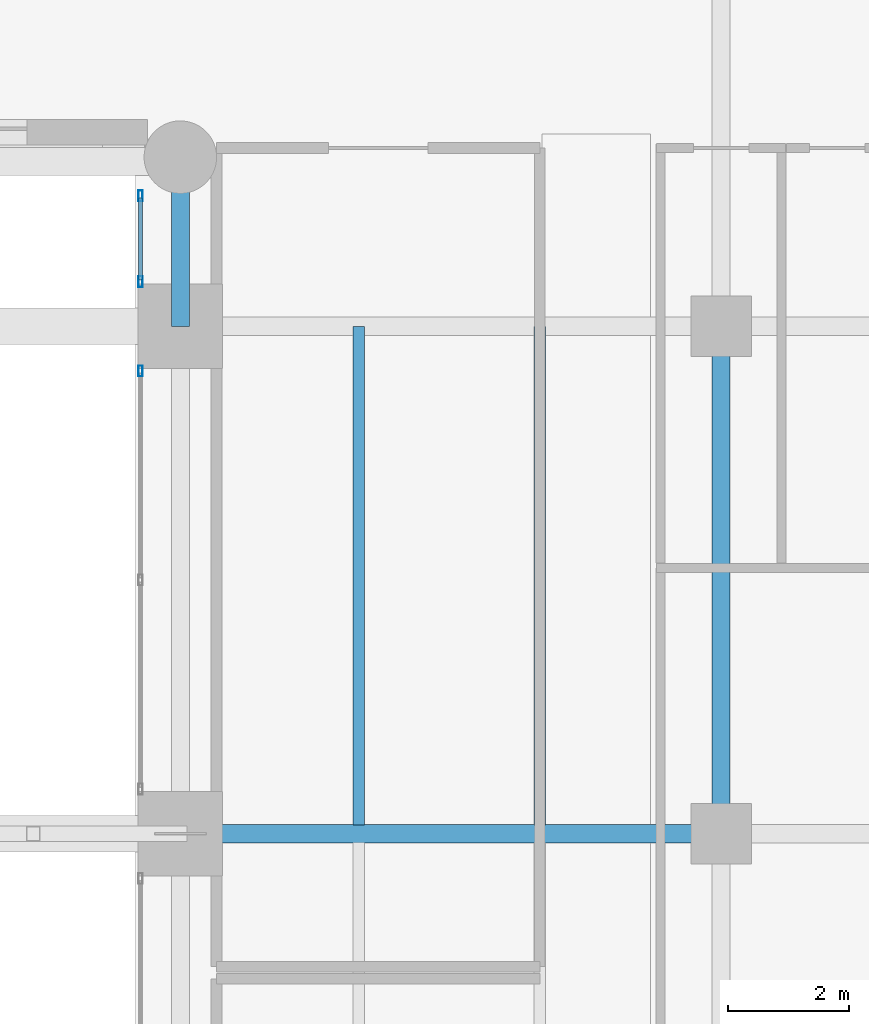
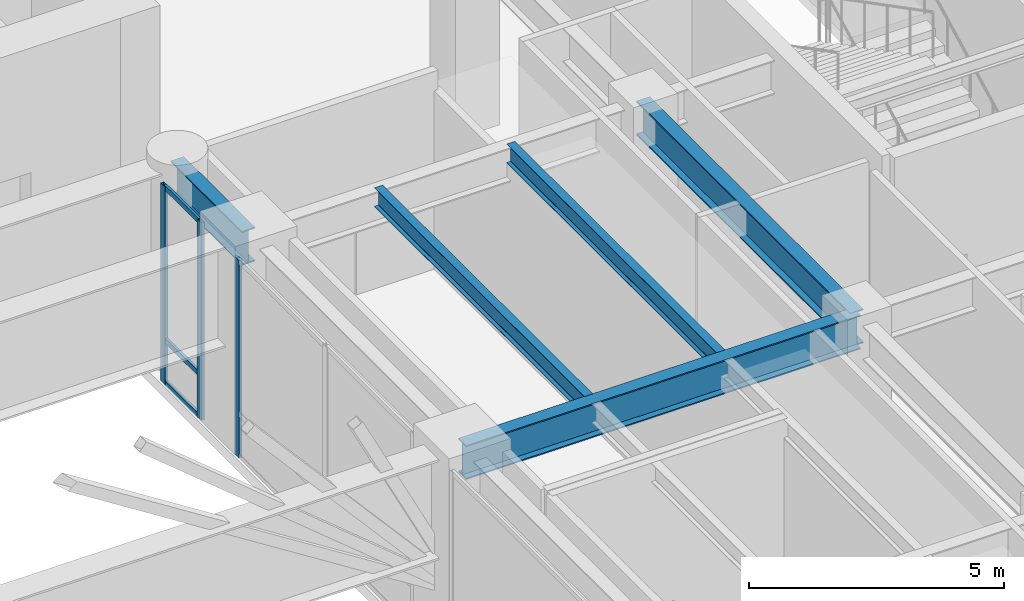
# One storey, part 22 of 39: 6 members, 5 beams, 2 elements without a shape of their own.
"""IFC4 building model written with IfcOpenShell, lengths in metres."""

from ifc_helpers import new_model, si_unit, direction, frame, origin, origin_2d, place, context, subcontext, project, spatial, hollow_rectangle, i_section, extrude, source, transform, mapped, material, layer, layer_set, material_profile, profile_set, type_object, type_shapes, element, aggregate, save


model = new_model("IFC4")

# Units and contexts
model_context = context("Model", 3, precision=1e-05, world=origin(), true_north=direction((0.0, 1.0)))
body_context = subcontext(model_context, "Body", "Model", "MODEL_VIEW")
ifc_project = project(units=[si_unit("LENGTHUNIT", "METRE"), si_unit("AREAUNIT", "SQUARE_METRE"), si_unit("VOLUMEUNIT", "CUBIC_METRE"), si_unit("PLANEANGLEUNIT", "RADIAN"), si_unit("MASSUNIT", "GRAM", prefix="KILO")], contexts=[model_context])

# Site, building, storey
site_placement = place(None, origin())
site = spatial("IfcSite", under=ifc_project, at=site_placement, CompositionType="ELEMENT")
building_placement = place(site_placement, origin())
building = spatial("IfcBuilding", under=site, at=building_placement, Name="Tolvann Quenvar Hotel", CompositionType="ELEMENT")
storey_placement = place(building_placement, frame((0.0, 0.0, 11.0)))
storey = spatial("IfcBuildingStorey", under=building, at=storey_placement, Name="L02", CompositionType="ELEMENT", Elevation=11.0)

# Beams
ifc_material_1 = material(Name="Steel Grade 350", Category="steel")
ifc_material_profile_1 = material_profile(ifc_material_1, i_section(OverallWidth=0.300048828125, OverallDepth=0.81591796875, WebThickness=0.010009765625, FlangeThickness=0.028076171875, at=origin_2d()), Name="800WB192")
ifc_profile_set_1 = profile_set([ifc_material_profile_1], Name="Steel Grade 350")
beam_type_1 = type_object("IfcBeamType", Name="BM_GIRD_800WB192", PredefinedType="BEAM", material=ifc_profile_set_1)
shared_shape_1 = source(origin(), body_context, "Body", "SweptSolid", [
    extrude(i_section(OverallWidth=0.300048828125, OverallDepth=0.81591796875, WebThickness=0.010009765625, FlangeThickness=0.028076171875, at=origin_2d()), origin(), (0.0, 0.0, 1.0), 8.39990234375),
])
beam_1_placement = place(storey_placement, frame((47.199951171875, 16.0, 4.33203125), z_axis=(0.0, 1.0, 0.0), x_axis=(-1.0, 0.0, 0.0)))
element("IfcBeam", 1, at=beam_1_placement, inside=storey, type_object=beam_type_1, Name="BM-L02-NS-H-2", PredefinedType="BEAM", context=body_context, shape_type="MappedRepresentation", body=[
    mapped(shared_shape_1, transform((0.0, 0.0, 0.0), x_axis=(1.0, 0.0, 0.0), y_axis=(0.0, 1.0, 0.0), z_axis=(0.0, 0.0, 1.0), scale=1.0)),
])
shared_shape_2 = source(origin(), body_context, "Body", "SweptSolid", [
    extrude(i_section(OverallWidth=0.300048828125, OverallDepth=0.81591796875, WebThickness=0.010009765625, FlangeThickness=0.028076171875, at=origin_2d()), origin(), (0.0, 0.0, 1.0), 2.800048828125),
])
beam_2_placement = place(storey_placement, frame((38.25, 24.39990234375, 4.33203125), z_axis=(0.0, 1.0, 0.0), x_axis=(-1.0, 0.0, 0.0)))
element("IfcBeam", 2, at=beam_2_placement, inside=storey, type_object=beam_type_1, Name="BM-L02-NS-APE-3", PredefinedType="BEAM", context=body_context, shape_type="MappedRepresentation", body=[
    mapped(shared_shape_2, transform((0.0, 0.0, 0.0), x_axis=(1.0, 0.0, 0.0), y_axis=(0.0, 1.0, 0.0), z_axis=(0.0, 0.0, 1.0), scale=1.0)),
])
shared_shape_3 = source(origin(), body_context, "Body", "SweptSolid", [
    extrude(i_section(OverallWidth=0.300048828125, OverallDepth=0.81591796875, WebThickness=0.010009765625, FlangeThickness=0.028076171875, at=origin_2d()), origin(), (0.0, 0.0, 1.0), 8.949951171875),
])
type_shapes(beam_type_1, [shared_shape_1, shared_shape_2, shared_shape_3])
beam_3_placement = place(storey_placement, frame((38.25, 16.0, 4.33203125), z_axis=(1.0, 0.0, 0.0), x_axis=(0.0, 1.0, 0.0)))
element("IfcBeam", 3, at=beam_3_placement, inside=storey, type_object=beam_type_1, Name="BM-L02-GE1-3", PredefinedType="BEAM", context=body_context, shape_type="MappedRepresentation", body=[
    mapped(shared_shape_3, transform((0.0, 0.0, 0.0), x_axis=(1.0, 0.0, 0.0), y_axis=(0.0, 1.0, 0.0), z_axis=(0.0, 0.0, 1.0), scale=1.0)),
])
ifc_material_profile_2 = material_profile(ifc_material_1, i_section(OverallWidth=0.18994140625, OverallDepth=0.4541015625, WebThickness=0.008544921875, FlangeThickness=0.0126953125, FilletRadius=0.011474609375, at=origin_2d()), Name="460UB67")
ifc_profile_set_2 = profile_set([ifc_material_profile_2], Name="Steel Grade 350")
beam_type_2 = type_object("IfcBeamType", Name="BM_JOIST_460UB67", PredefinedType="JOIST", material=ifc_profile_set_2)
shared_shape_4 = source(origin(), body_context, "Body", "SweptSolid", [
    extrude(i_section(OverallWidth=0.18994140625, OverallDepth=0.4541015625, WebThickness=0.008544921875, FlangeThickness=0.0126953125, FilletRadius=0.011474609375, at=origin_2d()), origin(), (0.0, 0.0, 1.0), 8.255859375),
])
type_shapes(beam_type_2, [shared_shape_4])
for number, where, z_axis, x_axis, name in (
    (4, (41.199951171875, 16.14404296875, 4.512939453125), (0.0, 1.0, 0.0), (-1.0, 0.0, 0.0), "BJ-L02-412-160"),
    (5, (44.199951171875, 16.14404296875, 4.512939453125), (0.0, 1.0, 0.0), (-1.0, 0.0, 0.0), "BJ-L02-442-160"),
):
    element("IfcBeam", number, at=place(storey_placement, frame(where, z_axis=z_axis, x_axis=x_axis)), inside=storey, type_object=beam_type_2, Name=name, PredefinedType="JOIST", context=body_context, shape_type="MappedRepresentation", body=[
        mapped(shared_shape_4, transform((0.0, 0.0, 0.0), x_axis=(1.0, 0.0, 0.0), y_axis=(0.0, 1.0, 0.0), z_axis=(0.0, 0.0, 1.0), scale=1.0)),
    ])

# Curtain wall, members
ifc_material_2 = material(Name="Thermally broken anodised architectural aluminium 6063-T6 and laminated low-E glass", Category="aluminium")
ifc_layer = layer(ifc_material_2, 0.179931640625)
ifc_layer_set = layer_set([ifc_layer], Name="Thermally broken anodised architectural aluminium 6063-T6 and laminated low-E glass")
curtain_wall_type = type_object("IfcCurtainWallType", Name="CW_SYS_ARCH_01", PredefinedType="USERDEFINED", material=ifc_layer_set)
curtain_wall_1_placement = place(storey_placement, origin())
curtain_wall_1 = element("IfcCurtainWall", 6, at=curtain_wall_1_placement, inside=storey, type_object=curtain_wall_type, Name="Curtain Wall CW-ARCH-01 (CWR-L02-E03-S1)", ObjectType="UNITISED CURTAIN WALL", PredefinedType="USERDEFINED")
ifc_material_3 = material(Name="Anodised architectural aluminium 6063-T6 framing", Category="aluminium")
ifc_material_profile_3 = material_profile(ifc_material_3, hollow_rectangle(XDim=0.06005859375, YDim=0.1201171875, WallThickness=0.00341796875, at=origin_2d()), Name="120x60x3.5RHS")
ifc_profile_set_3 = profile_set([ifc_material_profile_3], Name="Anodised architectural aluminium 6063-T6 framing")
member_type_1 = type_object("IfcMemberType", Name="CW_TRAN_120x60", PredefinedType="USERDEFINED", material=ifc_profile_set_3)
shared_shape_5 = source(origin(), body_context, "Body", "SweptSolid", [
    extrude(hollow_rectangle(XDim=0.06005859375, YDim=0.1201171875, WallThickness=0.00341796875, at=origin_2d()), origin(), (0.0, 0.0, 1.0), 1.351806640625),
])
type_shapes(member_type_1, [shared_shape_5])
member_1_placement = place(storey_placement, frame((37.590087890625, 26.52587890625, 0.030029296875), z_axis=(0.0, -1.0, 0.0), x_axis=(1.0, 0.0, 0.0)))
member_1 = element("IfcMember", 7, at=member_1_placement, type_object=member_type_1, Name="CW-ARCH-01 transom 1.1", ObjectType="TRANSOM", PredefinedType="USERDEFINED", context=body_context, shape_type="MappedRepresentation", body=[
    mapped(shared_shape_5, transform((0.0, 0.0, 0.0), x_axis=(1.0, 0.0, 0.0), y_axis=(0.0, 1.0, 0.0), z_axis=(0.0, 0.0, 1.0), scale=1.0)),
])
member_2_placement = place(storey_placement, frame((37.590087890625, 26.52587890625, 1.050048828125), z_axis=(0.0, -1.0, 0.0), x_axis=(1.0, 0.0, 0.0)))
member_2 = element("IfcMember", 8, at=member_2_placement, type_object=member_type_1, Name="CW-ARCH-01 transom 1.2", ObjectType="TRANSOM", PredefinedType="USERDEFINED", context=body_context, shape_type="MappedRepresentation", body=[
    mapped(shared_shape_5, transform((0.0, 0.0, 0.0), x_axis=(1.0, 0.0, 0.0), y_axis=(0.0, 1.0, 0.0), z_axis=(0.0, 0.0, 1.0), scale=1.0)),
])
member_3_placement = place(storey_placement, frame((37.590087890625, 26.52587890625, 4.7099609375), z_axis=(0.0, -1.0, 0.0), x_axis=(1.0, 0.0, 0.0)))
member_3 = element("IfcMember", 9, at=member_3_placement, type_object=member_type_1, Name="CW-ARCH-01 transom 1.3", ObjectType="TRANSOM", PredefinedType="USERDEFINED", context=body_context, shape_type="MappedRepresentation", body=[
    mapped(shared_shape_5, transform((0.0, 0.0, 0.0), x_axis=(1.0, 0.0, 0.0), y_axis=(0.0, 1.0, 0.0), z_axis=(0.0, 0.0, 1.0), scale=1.0)),
])
ifc_material_profile_4 = material_profile(ifc_material_3, hollow_rectangle(XDim=0.070068359375, YDim=0.179931640625, WallThickness=0.00390625, at=origin_2d()), Name="180x70x4RHS")
ifc_profile_set_4 = profile_set([ifc_material_profile_4], Name="Anodised architectural aluminium 6063-T6 framing")
member_type_2 = type_object("IfcMemberType", Name="CW_MULL_180x70", PredefinedType="MULLION", material=ifc_profile_set_4)
shared_shape_6 = source(origin(), body_context, "Body", "SweptSolid", [
    extrude(hollow_rectangle(XDim=0.070068359375, YDim=0.179931640625, WallThickness=0.00390625, at=origin_2d()), origin(), (0.0, 0.0, 1.0), 4.739990234375),
])
type_shapes(member_type_2, [shared_shape_6])
member_4_placement = place(storey_placement, frame((37.590087890625, 26.56103515625, 0.0), z_axis=(0.0, 0.0, 1.0), x_axis=(1.0, 0.0, 0.0)))
member_4 = element("IfcMember", 10, at=member_4_placement, type_object=member_type_2, Name="CW-ARCH-01 mullion 1", PredefinedType="MULLION", context=body_context, shape_type="MappedRepresentation", body=[
    mapped(shared_shape_6, transform((0.0, 0.0, 0.0), x_axis=(1.0, 0.0, 0.0), y_axis=(0.0, 1.0, 0.0), z_axis=(0.0, 0.0, 1.0), scale=1.0)),
])
member_5_placement = place(storey_placement, frame((37.590087890625, 25.138916015625, 0.0), z_axis=(0.0, 0.0, 1.0), x_axis=(1.0, 0.0, 0.0)))
member_5 = element("IfcMember", 11, at=member_5_placement, type_object=member_type_2, Name="CW-ARCH-01 mullion 2", PredefinedType="MULLION", context=body_context, shape_type="MappedRepresentation", body=[
    mapped(shared_shape_6, transform((0.0, 0.0, 0.0), x_axis=(1.0, 0.0, 0.0), y_axis=(0.0, 1.0, 0.0), z_axis=(0.0, 0.0, 1.0), scale=1.0)),
])
aggregate(curtain_wall_1, [member_4, member_5, member_1, member_2, member_3])

# Curtain wall, member
curtain_wall_2_placement = place(storey_placement, origin())
curtain_wall_2 = element("IfcCurtainWall", 12, at=curtain_wall_2_placement, inside=storey, type_object=curtain_wall_type, Name="Curtain Wall CW-ARCH-01 (CWR-L02-E03-S2)", ObjectType="UNITISED CURTAIN WALL", PredefinedType="USERDEFINED")
member_6_placement = place(storey_placement, frame((37.590087890625, 23.660888671875, 0.0), z_axis=(0.0, 0.0, 1.0), x_axis=(1.0, 0.0, 0.0)))
member_6 = element("IfcMember", 13, at=member_6_placement, type_object=member_type_2, Name="CW-ARCH-01 mullion 1", PredefinedType="MULLION", context=body_context, shape_type="MappedRepresentation", body=[
    mapped(shared_shape_6, transform((0.0, 0.0, 0.0), x_axis=(1.0, 0.0, 0.0), y_axis=(0.0, 1.0, 0.0), z_axis=(0.0, 0.0, 1.0), scale=1.0)),
])
aggregate(curtain_wall_2, [member_6])

save(model, "model.ifc")
